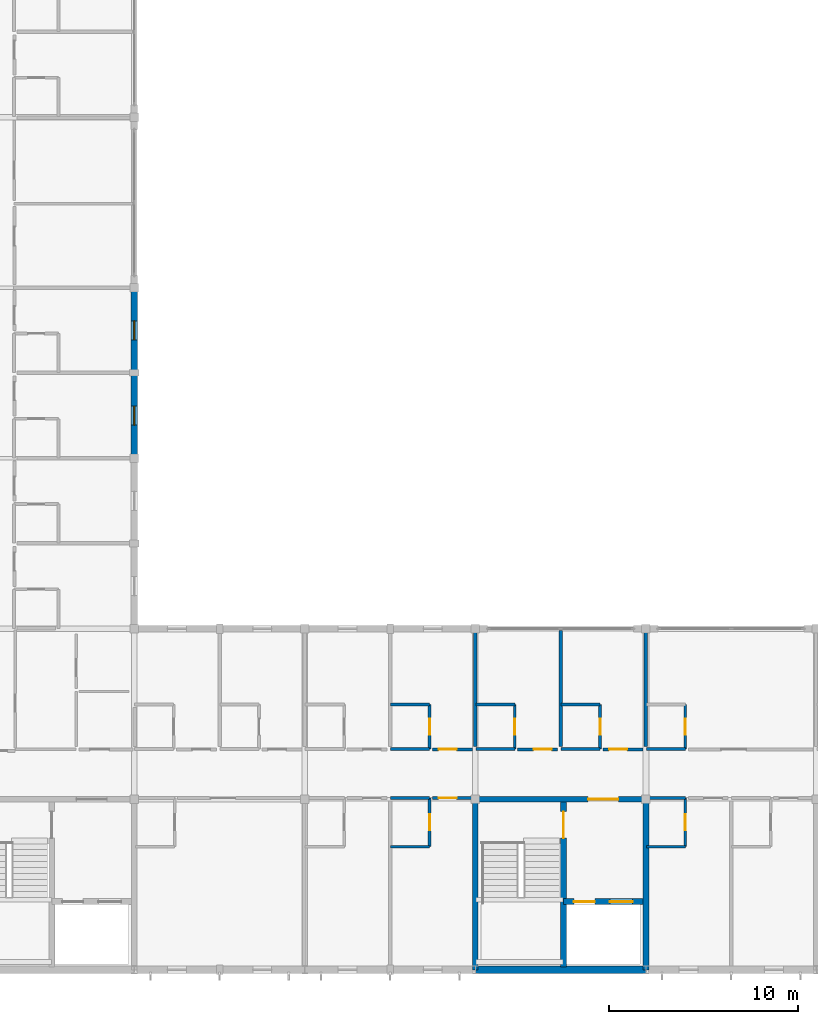
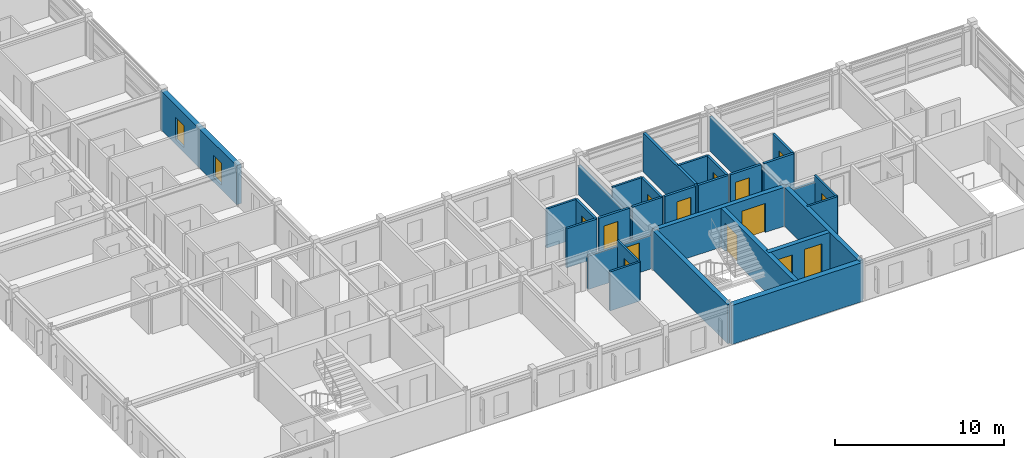
# One storey, part 11 of 20: 31 walls, 14 doors, 2 windows, 16 openings.
"""IFC4 building model written with IfcOpenShell, lengths in metres."""

from ifc_helpers import new_model, si_unit, direction, frame, frame_2d, origin, place, context, subcontext, project, spatial, rectangle, extrude, material, layer, layer_set, type_object, element, fill, save


model = new_model("IFC4")

# Units and contexts
model_context = context("Model", 3, precision=1e-05, world=origin(), true_north=direction((0.0, 1.0)))
body_context = subcontext(model_context, "Body", "Model", "MODEL_VIEW")
ifc_project = project(units=[si_unit("LENGTHUNIT", "METRE"), si_unit("AREAUNIT", "SQUARE_METRE"), si_unit("VOLUMEUNIT", "CUBIC_METRE"), si_unit("PLANEANGLEUNIT", "RADIAN"), si_unit("MASSUNIT", "GRAM", prefix="KILO")], contexts=[model_context])

# Site, building, storey
site_placement = place(None, origin())
site = spatial("IfcSite", under=ifc_project, at=site_placement, CompositionType="ELEMENT")
building_placement = place(site_placement, origin())
building = spatial("IfcBuilding", under=site, at=building_placement, Name="Palais des Congres Ocreval", CompositionType="ELEMENT")
storey_placement = place(building_placement, frame((0.0, 0.0, 20.639892578125)))
storey = spatial("IfcBuildingStorey", under=building, at=storey_placement, Name="L06", CompositionType="ELEMENT", Elevation=20.639892578125)

# Wall, opening, door
ifc_material_1 = material(Name="Moisture-resistant gypsum board")
ifc_layer_1 = layer(ifc_material_1, 0.139892578125)
ifc_layer_set_1 = layer_set([ifc_layer_1], Name="Bathroom Plumbing Chase Wall 140 Gypsum (Moisture-resistant gypsum board)")
wall_type_1 = type_object("IfcWallType", Name="Bathroom Plumbing Chase Wall 140 Gypsum", PredefinedType="PLUMBINGWALL", material=ifc_layer_set_1)
wall_1_placement = place(storey_placement, frame((33.580078125, 6.5, 0.0), z_axis=(0.0, 0.0, 1.0), x_axis=(0.0, 1.0, 0.0)))
wall_1 = element("IfcWall", 1, at=wall_1_placement, inside=storey, type_object=wall_type_1, Name="Bathroom Plumbing Wall PW03 L06", PredefinedType="PLUMBINGWALL", context=body_context, shape_type="SweptSolid", body=[
    extrude(rectangle(XDim=2.56005859375, YDim=0.139892578125, at=frame_2d((1.280029296875, 0.0))), origin(), (0.0, 0.0, 1.0), 2.820068359375),
])
opening_1_placement = place(wall_1_placement, frame((0.85498046875, 0.0, 0.0)))
opening_1 = element("IfcOpeningElement", 2, at=opening_1_placement, cuts=wall_1, Name="Opening D08", PredefinedType="OPENING", context=body_context, shape_type="SweptSolid", body=[
    extrude(rectangle(XDim=0.85009765625, YDim=2.0400390625, at=frame_2d((0.425048828125, 1.02001953125))), frame((0.0, 0.079833984375, 0.0), z_axis=(0.0, -1.0, 0.0), x_axis=(1.0, 0.0, 0.0)), (0.0, 0.0, 1.0), 0.159912109375),
])
ifc_material_2 = material(Name="Solid French oak", Category="wood")
door_type_1 = type_object("IfcDoorType", Name="En-Suite Bathroom Door 850x2040", OperationType="NOTDEFINED", PredefinedType="DOOR", material=ifc_material_2)
door_1_placement = place(opening_1_placement, origin())
door_1 = element("IfcDoor", 3, at=door_1_placement, inside=storey, type_object=door_type_1, Name="En-Suite Bathroom Door D08 L06", OperationType="SINGLE_SWING_LEFT", OverallHeight=2.0400390625, OverallWidth=0.85009765625, PredefinedType="DOOR", context=body_context, shape_type="SweptSolid", body=[
    extrude(rectangle(XDim=0.85009765625, YDim=2.0400390625, at=frame_2d((0.425048828125, 1.02001953125))), frame((0.0, 0.02490234375, 0.0), z_axis=(0.0, -1.0, 0.0), x_axis=(1.0, 0.0, 0.0)), (0.0, 0.0, 1.0), 0.050048828125),
])
fill(opening_1, door_1)

# Wall
wall_2_placement = place(storey_placement, frame((31.52001953125, 6.5, 0.0), z_axis=(0.0, 0.0, 1.0), x_axis=(1.0, 0.0, 0.0)))
element("IfcWall", 4, at=wall_2_placement, inside=storey, type_object=wall_type_1, Name="Bathroom Plumbing Wall PW03 L06", PredefinedType="PLUMBINGWALL", context=body_context, shape_type="SweptSolid", body=[
    extrude(rectangle(XDim=2.06005859375, YDim=0.139892578125, at=frame_2d((1.030029296875, 0.0))), origin(), (0.0, 0.0, 1.0), 2.820068359375),
])

# Wall, opening, door
wall_3_placement = place(storey_placement, frame((47.080078125, 6.5, 0.0), z_axis=(0.0, 0.0, 1.0), x_axis=(0.0, 1.0, 0.0)))
wall_3 = element("IfcWall", 5, at=wall_3_placement, inside=storey, type_object=wall_type_1, Name="Bathroom Plumbing Wall PW03 L06", PredefinedType="PLUMBINGWALL", context=body_context, shape_type="SweptSolid", body=[
    extrude(rectangle(XDim=2.56005859375, YDim=0.139892578125, at=frame_2d((1.280029296875, 0.0))), origin(), (0.0, 0.0, 1.0), 2.820068359375),
])
opening_2_placement = place(wall_3_placement, frame((0.85498046875, 0.0, 0.0)))
opening_2 = element("IfcOpeningElement", 6, at=opening_2_placement, cuts=wall_3, Name="Opening D08", PredefinedType="OPENING", context=body_context, shape_type="SweptSolid", body=[
    extrude(rectangle(XDim=0.85009765625, YDim=2.0400390625, at=frame_2d((0.425048828125, 1.02001953125))), frame((0.0, 0.079833984375, 0.0), z_axis=(0.0, -1.0, 0.0), x_axis=(1.0, 0.0, 0.0)), (0.0, 0.0, 1.0), 0.159912109375),
])
door_2_placement = place(opening_2_placement, origin())
door_2 = element("IfcDoor", 7, at=door_2_placement, inside=storey, type_object=door_type_1, Name="En-Suite Bathroom Door D08 L06", OperationType="SINGLE_SWING_RIGHT", OverallHeight=2.0400390625, OverallWidth=0.85009765625, PredefinedType="DOOR", context=body_context, shape_type="SweptSolid", body=[
    extrude(rectangle(XDim=0.85009765625, YDim=2.0400390625, at=frame_2d((0.425048828125, 1.02001953125))), frame((0.0, 0.02490234375, 0.0), z_axis=(0.0, -1.0, 0.0), x_axis=(1.0, 0.0, 0.0)), (0.0, 0.0, 1.0), 0.050048828125),
])
fill(opening_2, door_2)

# Wall
wall_4_placement = place(storey_placement, frame((45.02001953125, 6.5, 0.0), z_axis=(0.0, 0.0, 1.0), x_axis=(1.0, 0.0, 0.0)))
element("IfcWall", 8, at=wall_4_placement, inside=storey, type_object=wall_type_1, Name="Bathroom Plumbing Wall PW03 L06", PredefinedType="PLUMBINGWALL", context=body_context, shape_type="SweptSolid", body=[
    extrude(rectangle(XDim=2.06005859375, YDim=0.139892578125, at=frame_2d((1.030029296875, 0.0))), origin(), (0.0, 0.0, 1.0), 2.820068359375),
])

# Wall, opening, door
wall_5_placement = place(storey_placement, frame((33.580078125, 11.639892578125, 0.0), z_axis=(0.0, 0.0, 1.0), x_axis=(0.0, 1.0, 0.0)))
wall_5 = element("IfcWall", 9, at=wall_5_placement, inside=storey, type_object=wall_type_1, Name="Bathroom Plumbing Wall PW03 L06", PredefinedType="PLUMBINGWALL", context=body_context, shape_type="SweptSolid", body=[
    extrude(rectangle(XDim=2.360107421875, YDim=0.139892578125, at=frame_2d((1.18017578125, 0.0))), origin(), (0.0, 0.0, 1.0), 2.820068359375),
])
opening_3_placement = place(wall_5_placement, frame((0.7548828125, 0.0, 0.0)))
opening_3 = element("IfcOpeningElement", 10, at=opening_3_placement, cuts=wall_5, Name="Opening D08", PredefinedType="OPENING", context=body_context, shape_type="SweptSolid", body=[
    extrude(rectangle(XDim=0.85009765625, YDim=2.0400390625, at=frame_2d((0.425048828125, 1.02001953125))), frame((0.0, 0.079833984375, 0.0), z_axis=(0.0, -1.0, 0.0), x_axis=(1.0, 0.0, 0.0)), (0.0, 0.0, 1.0), 0.159912109375),
])
door_3_placement = place(opening_3_placement, origin())
door_3 = element("IfcDoor", 11, at=door_3_placement, inside=storey, type_object=door_type_1, Name="En-Suite Bathroom Door D08 L06", OperationType="SINGLE_SWING_LEFT", OverallHeight=2.0400390625, OverallWidth=0.85009765625, PredefinedType="DOOR", context=body_context, shape_type="SweptSolid", body=[
    extrude(rectangle(XDim=0.85009765625, YDim=2.0400390625, at=frame_2d((0.425048828125, 1.02001953125))), frame((0.0, 0.02490234375, 0.0), z_axis=(0.0, -1.0, 0.0), x_axis=(1.0, 0.0, 0.0)), (0.0, 0.0, 1.0), 0.050048828125),
])
fill(opening_3, door_3)

# Wall
wall_6_placement = place(storey_placement, frame((31.52001953125, 14.0, 0.0), z_axis=(0.0, 0.0, 1.0), x_axis=(1.0, 0.0, 0.0)))
element("IfcWall", 12, at=wall_6_placement, inside=storey, type_object=wall_type_1, Name="Bathroom Plumbing Wall PW03 L06", PredefinedType="PLUMBINGWALL", context=body_context, shape_type="SweptSolid", body=[
    extrude(rectangle(XDim=2.06005859375, YDim=0.139892578125, at=frame_2d((1.030029296875, 0.0))), origin(), (0.0, 0.0, 1.0), 2.820068359375),
])

# Wall, opening, door
wall_7_placement = place(storey_placement, frame((38.080078125, 11.639892578125, 0.0), z_axis=(0.0, 0.0, 1.0), x_axis=(0.0, 1.0, 0.0)))
wall_7 = element("IfcWall", 13, at=wall_7_placement, inside=storey, type_object=wall_type_1, Name="Bathroom Plumbing Wall PW03 L06", PredefinedType="PLUMBINGWALL", context=body_context, shape_type="SweptSolid", body=[
    extrude(rectangle(XDim=2.360107421875, YDim=0.139892578125, at=frame_2d((1.18017578125, 0.0))), origin(), (0.0, 0.0, 1.0), 2.820068359375),
])
opening_4_placement = place(wall_7_placement, frame((0.7548828125, 0.0, 0.0)))
opening_4 = element("IfcOpeningElement", 14, at=opening_4_placement, cuts=wall_7, Name="Opening D08", PredefinedType="OPENING", context=body_context, shape_type="SweptSolid", body=[
    extrude(rectangle(XDim=0.85009765625, YDim=2.0400390625, at=frame_2d((0.425048828125, 1.02001953125))), frame((0.0, 0.079833984375, 0.0), z_axis=(0.0, -1.0, 0.0), x_axis=(1.0, 0.0, 0.0)), (0.0, 0.0, 1.0), 0.159912109375),
])
door_4_placement = place(opening_4_placement, origin())
door_4 = element("IfcDoor", 15, at=door_4_placement, inside=storey, type_object=door_type_1, Name="En-Suite Bathroom Door D08 L06", OperationType="SINGLE_SWING_RIGHT", OverallHeight=2.0400390625, OverallWidth=0.85009765625, PredefinedType="DOOR", context=body_context, shape_type="SweptSolid", body=[
    extrude(rectangle(XDim=0.85009765625, YDim=2.0400390625, at=frame_2d((0.425048828125, 1.02001953125))), frame((0.0, 0.02490234375, 0.0), z_axis=(0.0, -1.0, 0.0), x_axis=(1.0, 0.0, 0.0)), (0.0, 0.0, 1.0), 0.050048828125),
])
fill(opening_4, door_4)

# Wall
wall_8_placement = place(storey_placement, frame((36.02001953125, 14.0, 0.0), z_axis=(0.0, 0.0, 1.0), x_axis=(1.0, 0.0, 0.0)))
element("IfcWall", 16, at=wall_8_placement, inside=storey, type_object=wall_type_1, Name="Bathroom Plumbing Wall PW03 L06", PredefinedType="PLUMBINGWALL", context=body_context, shape_type="SweptSolid", body=[
    extrude(rectangle(XDim=2.06005859375, YDim=0.139892578125, at=frame_2d((1.030029296875, 0.0))), origin(), (0.0, 0.0, 1.0), 2.820068359375),
])

# Wall, opening, door
wall_9_placement = place(storey_placement, frame((42.580078125, 11.639892578125, 0.0), z_axis=(0.0, 0.0, 1.0), x_axis=(0.0, 1.0, 0.0)))
wall_9 = element("IfcWall", 17, at=wall_9_placement, inside=storey, type_object=wall_type_1, Name="Bathroom Plumbing Wall PW03 L06", PredefinedType="PLUMBINGWALL", context=body_context, shape_type="SweptSolid", body=[
    extrude(rectangle(XDim=2.360107421875, YDim=0.139892578125, at=frame_2d((1.18017578125, 0.0))), origin(), (0.0, 0.0, 1.0), 2.820068359375),
])
opening_5_placement = place(wall_9_placement, frame((0.7548828125, 0.0, 0.0)))
opening_5 = element("IfcOpeningElement", 18, at=opening_5_placement, cuts=wall_9, Name="Opening D08", PredefinedType="OPENING", context=body_context, shape_type="SweptSolid", body=[
    extrude(rectangle(XDim=0.85009765625, YDim=2.0400390625, at=frame_2d((0.425048828125, 1.02001953125))), frame((0.0, 0.079833984375, 0.0), z_axis=(0.0, -1.0, 0.0), x_axis=(1.0, 0.0, 0.0)), (0.0, 0.0, 1.0), 0.159912109375),
])
door_5_placement = place(opening_5_placement, origin())
door_5 = element("IfcDoor", 19, at=door_5_placement, inside=storey, type_object=door_type_1, Name="En-Suite Bathroom Door D08 L06", OperationType="SINGLE_SWING_LEFT", OverallHeight=2.0400390625, OverallWidth=0.85009765625, PredefinedType="DOOR", context=body_context, shape_type="SweptSolid", body=[
    extrude(rectangle(XDim=0.85009765625, YDim=2.0400390625, at=frame_2d((0.425048828125, 1.02001953125))), frame((0.0, 0.02490234375, 0.0), z_axis=(0.0, -1.0, 0.0), x_axis=(1.0, 0.0, 0.0)), (0.0, 0.0, 1.0), 0.050048828125),
])
fill(opening_5, door_5)

# Wall
wall_10_placement = place(storey_placement, frame((40.52001953125, 14.0, 0.0), z_axis=(0.0, 0.0, 1.0), x_axis=(1.0, 0.0, 0.0)))
element("IfcWall", 20, at=wall_10_placement, inside=storey, type_object=wall_type_1, Name="Bathroom Plumbing Wall PW03 L06", PredefinedType="PLUMBINGWALL", context=body_context, shape_type="SweptSolid", body=[
    extrude(rectangle(XDim=2.06005859375, YDim=0.139892578125, at=frame_2d((1.030029296875, 0.0))), origin(), (0.0, 0.0, 1.0), 2.820068359375),
])

# Wall, opening, door
wall_11_placement = place(storey_placement, frame((47.080078125, 11.639892578125, 0.0), z_axis=(0.0, 0.0, 1.0), x_axis=(0.0, 1.0, 0.0)))
wall_11 = element("IfcWall", 21, at=wall_11_placement, inside=storey, type_object=wall_type_1, Name="Bathroom Plumbing Wall PW03 L06", PredefinedType="PLUMBINGWALL", context=body_context, shape_type="SweptSolid", body=[
    extrude(rectangle(XDim=2.360107421875, YDim=0.139892578125, at=frame_2d((1.18017578125, 0.0))), origin(), (0.0, 0.0, 1.0), 2.820068359375),
])
opening_6_placement = place(wall_11_placement, frame((0.7548828125, 0.0, 0.0)))
opening_6 = element("IfcOpeningElement", 22, at=opening_6_placement, cuts=wall_11, Name="Opening D08", PredefinedType="OPENING", context=body_context, shape_type="SweptSolid", body=[
    extrude(rectangle(XDim=0.85009765625, YDim=2.0400390625, at=frame_2d((0.425048828125, 1.02001953125))), frame((0.0, 0.079833984375, 0.0), z_axis=(0.0, -1.0, 0.0), x_axis=(1.0, 0.0, 0.0)), (0.0, 0.0, 1.0), 0.159912109375),
])
door_6_placement = place(opening_6_placement, origin())
door_6 = element("IfcDoor", 23, at=door_6_placement, inside=storey, type_object=door_type_1, Name="En-Suite Bathroom Door D08 L06", OperationType="SINGLE_SWING_RIGHT", OverallHeight=2.0400390625, OverallWidth=0.85009765625, PredefinedType="DOOR", context=body_context, shape_type="SweptSolid", body=[
    extrude(rectangle(XDim=0.85009765625, YDim=2.0400390625, at=frame_2d((0.425048828125, 1.02001953125))), frame((0.0, 0.02490234375, 0.0), z_axis=(0.0, -1.0, 0.0), x_axis=(1.0, 0.0, 0.0)), (0.0, 0.0, 1.0), 0.050048828125),
])
fill(opening_6, door_6)

# Wall
ifc_material_3 = material(Name="Concrete C40/50", Category="concrete")
ifc_layer_2 = layer(ifc_material_3, 0.300048828125)
ifc_layer_set_2 = layer_set([ifc_layer_2], Name="Core Shear Wall 300 Concrete C40/50")
wall_type_2 = type_object("IfcWallType", Name="Core Shear Wall 300 Concrete C40/50", PredefinedType="SHEAR", material=ifc_layer_set_2)
wall_12_placement = place(storey_placement, frame((45.0, 0.0, 0.0), z_axis=(0.0, 0.0, 1.0), x_axis=(0.0, 1.0, 0.0)))
element("IfcWall", 24, at=wall_12_placement, inside=storey, type_object=wall_type_2, Name="Core Shear Wall SC02 L06 E", PredefinedType="SHEAR", context=body_context, shape_type="SweptSolid", body=[
    extrude(rectangle(XDim=9.0, YDim=0.300048828125, at=frame_2d((4.5, 0.0))), origin(), (0.0, 0.0, 1.0), 2.820068359375),
])

# Wall, opening, door
wall_13_placement = place(storey_placement, frame((36.0, 9.0, 0.0), z_axis=(0.0, 0.0, 1.0), x_axis=(1.0, 0.0, 0.0)))
wall_13 = element("IfcWall", 25, at=wall_13_placement, inside=storey, type_object=wall_type_2, Name="Core Shear Wall SC02 L06 N", PredefinedType="SHEAR", context=body_context, shape_type="SweptSolid", body=[
    extrude(rectangle(XDim=9.0, YDim=0.300048828125, at=frame_2d((4.5, 0.0))), origin(), (0.0, 0.0, 1.0), 2.820068359375),
])
opening_7_placement = place(wall_13_placement, frame((5.949951171875, 0.0, 0.0)))
opening_7 = element("IfcOpeningElement", 26, at=opening_7_placement, cuts=wall_13, Name="Opening D02", PredefinedType="OPENING", context=body_context, shape_type="SweptSolid", body=[
    extrude(rectangle(XDim=1.60009765625, YDim=2.10009765625, at=frame_2d((0.800048828125, 1.050048828125))), frame((0.0, 0.159912109375, 0.0), z_axis=(0.0, -1.0, 0.0), x_axis=(1.0, 0.0, 0.0)), (0.0, 0.0, 1.0), 0.320068359375),
])
ifc_material_4 = material(Name="Painted fire-rated steel", Category="steel")
door_type_2 = type_object("IfcDoorType", Name="Firefighting Lobby Rated Door 1600x2100", OperationType="NOTDEFINED", PredefinedType="DOOR", material=ifc_material_4)
door_7_placement = place(opening_7_placement, origin())
door_7 = element("IfcDoor", 27, at=door_7_placement, inside=storey, type_object=door_type_2, Name="Firefighting Lobby Entrance Door SC02 L06", OperationType="DOUBLE_DOOR_SINGLE_SWING", OverallHeight=2.10009765625, OverallWidth=1.60009765625, PredefinedType="DOOR", context=body_context, shape_type="SweptSolid", body=[
    extrude(rectangle(XDim=1.60009765625, YDim=2.10009765625, at=frame_2d((0.800048828125, 1.050048828125))), frame((0.0, 0.02490234375, 0.0), z_axis=(0.0, -1.0, 0.0), x_axis=(1.0, 0.0, 0.0)), (0.0, 0.0, 1.0), 0.050048828125),
])
fill(opening_7, door_7)

# Wall
wall_14_placement = place(storey_placement, frame((36.0, 0.0, 0.0), z_axis=(0.0, 0.0, 1.0), x_axis=(0.0, 1.0, 0.0)))
element("IfcWall", 28, at=wall_14_placement, inside=storey, type_object=wall_type_2, Name="Core Shear Wall SC02 L06 W", PredefinedType="SHEAR", context=body_context, shape_type="SweptSolid", body=[
    extrude(rectangle(XDim=9.0, YDim=0.300048828125, at=frame_2d((4.5, 0.0))), origin(), (0.0, 0.0, 1.0), 2.820068359375),
])

# Wall, opening, door
wall_15_placement = place(storey_placement, frame((40.64990234375, 0.14990234375, 0.0), z_axis=(0.0, 0.0, 1.0), x_axis=(0.0, 1.0, 0.0)))
wall_15 = element("IfcWall", 29, at=wall_15_placement, inside=storey, type_object=wall_type_2, Name="Core Spine Shear Wall SC02 L06", PredefinedType="SHEAR", context=body_context, shape_type="SweptSolid", body=[
    extrude(rectangle(XDim=8.7001953125, YDim=0.300048828125, at=frame_2d((4.35009765625, 0.0))), origin(), (0.0, 0.0, 1.0), 2.820068359375),
])
opening_8_placement = place(wall_15_placement, frame((6.800048828125, 0.0, 0.0)))
opening_8 = element("IfcOpeningElement", 30, at=opening_8_placement, cuts=wall_15, Name="Opening D03", PredefinedType="OPENING", context=body_context, shape_type="SweptSolid", body=[
    extrude(rectangle(XDim=1.39990234375, YDim=2.02001953125, at=frame_2d((0.699951171875, 1.010009765625))), frame((0.0, 0.159912109375, 0.0), z_axis=(0.0, -1.0, 0.0), x_axis=(1.0, 0.0, 0.0)), (0.0, 0.0, 1.0), 0.320068359375),
])
door_type_3 = type_object("IfcDoorType", Name="Core Lobby Rated Door 1400x2020", OperationType="NOTDEFINED", PredefinedType="DOOR", material=ifc_material_4)
door_8_placement = place(opening_8_placement, origin())
door_8 = element("IfcDoor", 31, at=door_8_placement, inside=storey, type_object=door_type_3, Name="Protected Exit Stair Door ST02 L06", OperationType="SINGLE_SWING_RIGHT", OverallHeight=2.02001953125, OverallWidth=1.39990234375, PredefinedType="DOOR", context=body_context, shape_type="SweptSolid", body=[
    extrude(rectangle(XDim=1.39990234375, YDim=2.02001953125, at=frame_2d((0.699951171875, 1.010009765625))), frame((0.0, 0.02490234375, 0.0), z_axis=(0.0, -1.0, 0.0), x_axis=(1.0, 0.0, 0.0)), (0.0, 0.0, 1.0), 0.050048828125),
])
fill(opening_8, door_8)

# Wall, openings, doors
wall_16_placement = place(storey_placement, frame((40.64990234375, 3.60009765625, 0.0), z_axis=(0.0, 0.0, 1.0), x_axis=(1.0, 0.0, 0.0)))
wall_16 = element("IfcWall", 32, at=wall_16_placement, inside=storey, type_object=wall_type_2, Name="Lift Shaft Front Wall SC02 L06", PredefinedType="SHEAR", context=body_context, shape_type="SweptSolid", body=[
    extrude(rectangle(XDim=4.2001953125, YDim=0.300048828125, at=frame_2d((2.10009765625, 0.0))), origin(), (0.0, 0.0, 1.0), 2.820068359375),
])
opening_9_placement = place(wall_16_placement, frame((0.550048828125, 0.0, 0.0)))
opening_9 = element("IfcOpeningElement", 33, at=opening_9_placement, cuts=wall_16, Name="Opening LD01", PredefinedType="OPENING", context=body_context, shape_type="SweptSolid", body=[
    extrude(rectangle(XDim=1.10009765625, YDim=2.10009765625, at=frame_2d((0.550048828125, 1.050048828125))), frame((0.0, 0.159912109375, 0.0), z_axis=(0.0, -1.0, 0.0), x_axis=(1.0, 0.0, 0.0)), (0.0, 0.0, 1.0), 0.320068359375),
])
opening_10_placement = place(wall_16_placement, frame((2.449951171875, 0.0, 0.0)))
opening_10 = element("IfcOpeningElement", 34, at=opening_10_placement, cuts=wall_16, Name="Opening LD02", PredefinedType="OPENING", context=body_context, shape_type="SweptSolid", body=[
    extrude(rectangle(XDim=1.199951171875, YDim=2.199951171875, at=frame_2d((0.60009765625, 1.10009765625))), frame((0.0, 0.159912109375, 0.0), z_axis=(0.0, -1.0, 0.0), x_axis=(1.0, 0.0, 0.0)), (0.0, 0.0, 1.0), 0.320068359375),
])
ifc_material_5 = material(Name="Stainless steel", Category="steel")
door_type_4 = type_object("IfcDoorType", Name="Firefighting Lift Sliding Landing Door 1100x2100", OperationType="NOTDEFINED", PredefinedType="DOOR", material=ifc_material_5)
door_9_placement = place(opening_9_placement, origin())
door_9 = element("IfcDoor", 35, at=door_9_placement, inside=storey, type_object=door_type_4, Name="Lift Landing Sliding Door FF2 L06", OperationType="DOUBLE_DOOR_SLIDING", OverallHeight=2.10009765625, OverallWidth=1.10009765625, PredefinedType="DOOR", context=body_context, shape_type="SweptSolid", body=[
    extrude(rectangle(XDim=1.10009765625, YDim=2.10009765625, at=frame_2d((0.550048828125, 1.050048828125))), frame((0.0, 0.02490234375, 0.0), z_axis=(0.0, -1.0, 0.0), x_axis=(1.0, 0.0, 0.0)), (0.0, 0.0, 1.0), 0.050048828125),
])
fill(opening_9, door_9)
ifc_material_6 = material(Name="Anodized bronze steel", Category="steel")
door_type_5 = type_object("IfcDoorType", Name="Passenger and Service Lift Sliding Door 1200x2200", OperationType="NOTDEFINED", PredefinedType="DOOR", material=ifc_material_6)
door_10_placement = place(opening_10_placement, origin())
door_10 = element("IfcDoor", 36, at=door_10_placement, inside=storey, type_object=door_type_5, Name="Lift Landing Sliding Door PL2 L06", OperationType="DOUBLE_DOOR_SLIDING", OverallHeight=2.199951171875, OverallWidth=1.199951171875, PredefinedType="DOOR", context=body_context, shape_type="SweptSolid", body=[
    extrude(rectangle(XDim=1.199951171875, YDim=2.199951171875, at=frame_2d((0.60009765625, 1.10009765625))), frame((0.0, 0.02490234375, 0.0), z_axis=(0.0, -1.0, 0.0), x_axis=(1.0, 0.0, 0.0)), (0.0, 0.0, 1.0), 0.050048828125),
])
fill(opening_10, door_10)

# Walls
ifc_material_7 = material(Name="Gypsum acoustic partition")
ifc_layer_3 = layer(ifc_material_7, 0.159912109375)
ifc_layer_set_3 = layer_set([ifc_layer_3], Name="Corridor Fire Partition 160 Gypsum (Gypsum acoustic partition)")
wall_type_3 = type_object("IfcWallType", Name="Corridor Fire Partition 160 Gypsum", PredefinedType="PARTITIONING", material=ifc_layer_set_3)
wall_17_placement = place(storey_placement, frame((31.52001953125, 9.06005859375, 0.0), z_axis=(0.0, 0.0, 1.0), x_axis=(1.0, 0.0, 0.0)))
element("IfcWall", 37, at=wall_17_placement, inside=storey, type_object=wall_type_3, Name="Corridor Partition IW03 L06", PredefinedType="PARTITIONING", context=body_context, shape_type="SweptSolid", body=[
    extrude(rectangle(XDim=2.06005859375, YDim=0.159912109375, at=frame_2d((1.030029296875, 0.0))), origin(), (0.0, 0.0, 1.0), 2.420166015625),
])
wall_18_placement = place(storey_placement, frame((45.02001953125, 9.06005859375, 0.0), z_axis=(0.0, 0.0, 1.0), x_axis=(1.0, 0.0, 0.0)))
element("IfcWall", 38, at=wall_18_placement, inside=storey, type_object=wall_type_3, Name="Corridor Partition IW03 L06", PredefinedType="PARTITIONING", context=body_context, shape_type="SweptSolid", body=[
    extrude(rectangle(XDim=2.06005859375, YDim=0.159912109375, at=frame_2d((1.030029296875, 0.0))), origin(), (0.0, 0.0, 1.0), 2.330078125),
])
for number, where, z_axis, x_axis, name in (
    (39, (31.52001953125, 11.639892578125, 0.0), (0.0, 0.0, 1.0), (1.0, 0.0, 0.0), "Corridor Partition IW03 L06"),
    (40, (36.02001953125, 11.639892578125, 0.0), (0.0, 0.0, 1.0), (1.0, 0.0, 0.0), "Corridor Partition IW03 L06"),
    (41, (40.52001953125, 11.639892578125, 0.0), (0.0, 0.0, 1.0), (1.0, 0.0, 0.0), "Corridor Partition IW03 L06"),
    (42, (45.02001953125, 11.639892578125, 0.0), (0.0, 0.0, 1.0), (1.0, 0.0, 0.0), "Corridor Partition IW03 L06"),
):
    element("IfcWall", number, at=place(storey_placement, frame(where, z_axis=z_axis, x_axis=x_axis)), inside=storey, type_object=wall_type_3, Name=name, PredefinedType="PARTITIONING", context=body_context, shape_type="SweptSolid", body=[
        extrude(rectangle(XDim=2.06005859375, YDim=0.159912109375, at=frame_2d((1.030029296875, 0.0))), origin(), (0.0, 0.0, 1.0), 2.820068359375),
    ])

# Wall, opening, door
wall_19_placement = place(storey_placement, frame((33.735107421875, 9.06494140625, 0.0), z_axis=(0.0, 0.0, 1.0), x_axis=(1.0, 0.0, 0.0)))
wall_19 = element("IfcWall", 43, at=wall_19_placement, inside=storey, type_object=wall_type_3, Name="Interior Partition IW03 L06", PredefinedType="PARTITIONING", context=body_context, shape_type="SweptSolid", body=[
    extrude(rectangle(XDim=2.10986328125, YDim=0.159912109375, at=frame_2d((1.054931640625, 0.0))), origin(), (0.0, 0.0, 1.0), 2.420166015625),
])
opening_11_placement = place(wall_19_placement, frame((0.326904296875, 0.0, 0.0)))
opening_11 = element("IfcOpeningElement", 44, at=opening_11_placement, cuts=wall_19, Name="Opening D05", PredefinedType="OPENING", context=body_context, shape_type="SweptSolid", body=[
    extrude(rectangle(XDim=0.949951171875, YDim=2.14990234375, at=frame_2d((0.47509765625, 1.074951171875))), frame((0.0, 0.08984375, 0.0), z_axis=(0.0, -1.0, 0.0), x_axis=(1.0, 0.0, 0.0)), (0.0, 0.0, 1.0), 0.179931640625),
])
door_type_6 = type_object("IfcDoorType", Name="Hotel Guestroom Entrance Door 950x2150", OperationType="NOTDEFINED", PredefinedType="DOOR", material=ifc_material_2)
door_11_placement = place(opening_11_placement, origin())
door_11 = element("IfcDoor", 45, at=door_11_placement, inside=storey, type_object=door_type_6, Name="Interior Door D05 L06", OperationType="SINGLE_SWING_RIGHT", OverallHeight=2.14990234375, OverallWidth=0.949951171875, PredefinedType="DOOR", context=body_context, shape_type="SweptSolid", body=[
    extrude(rectangle(XDim=0.949951171875, YDim=2.14990234375, at=frame_2d((0.47509765625, 1.074951171875))), frame((0.0, 0.02490234375, 0.0), z_axis=(0.0, -1.0, 0.0), x_axis=(1.0, 0.0, 0.0)), (0.0, 0.0, 1.0), 0.050048828125),
])
fill(opening_11, door_11)

wall_20_placement = place(storey_placement, frame((33.735107421875, 11.635009765625, 0.0), z_axis=(0.0, 0.0, 1.0), x_axis=(1.0, 0.0, 0.0)))
wall_20 = element("IfcWall", 46, at=wall_20_placement, inside=storey, type_object=wall_type_3, Name="Interior Partition IW03 L06", PredefinedType="PARTITIONING", context=body_context, shape_type="SweptSolid", body=[
    extrude(rectangle(XDim=2.10986328125, YDim=0.159912109375, at=frame_2d((1.054931640625, 0.0))), origin(), (0.0, 0.0, 1.0), 2.820068359375),
])
opening_12_placement = place(wall_20_placement, frame((0.326904296875, 0.0, 0.0)))
opening_12 = element("IfcOpeningElement", 47, at=opening_12_placement, cuts=wall_20, Name="Opening D05", PredefinedType="OPENING", context=body_context, shape_type="SweptSolid", body=[
    extrude(rectangle(XDim=0.949951171875, YDim=2.14990234375, at=frame_2d((0.47509765625, 1.074951171875))), frame((0.0, 0.08984375, 0.0), z_axis=(0.0, -1.0, 0.0), x_axis=(1.0, 0.0, 0.0)), (0.0, 0.0, 1.0), 0.179931640625),
])
door_12_placement = place(opening_12_placement, origin())
door_12 = element("IfcDoor", 48, at=door_12_placement, inside=storey, type_object=door_type_6, Name="Interior Door D05 L06", OperationType="SINGLE_SWING_LEFT", OverallHeight=2.14990234375, OverallWidth=0.949951171875, PredefinedType="DOOR", context=body_context, shape_type="SweptSolid", body=[
    extrude(rectangle(XDim=0.949951171875, YDim=2.14990234375, at=frame_2d((0.47509765625, 1.074951171875))), frame((0.0, 0.02490234375, 0.0), z_axis=(0.0, -1.0, 0.0), x_axis=(1.0, 0.0, 0.0)), (0.0, 0.0, 1.0), 0.050048828125),
])
fill(opening_12, door_12)

wall_21_placement = place(storey_placement, frame((38.235107421875, 11.635009765625, 0.0), z_axis=(0.0, 0.0, 1.0), x_axis=(1.0, 0.0, 0.0)))
wall_21 = element("IfcWall", 49, at=wall_21_placement, inside=storey, type_object=wall_type_3, Name="Interior Partition IW03 L06", PredefinedType="PARTITIONING", context=body_context, shape_type="SweptSolid", body=[
    extrude(rectangle(XDim=2.10986328125, YDim=0.159912109375, at=frame_2d((1.054931640625, 0.0))), origin(), (0.0, 0.0, 1.0), 2.820068359375),
])
opening_13_placement = place(wall_21_placement, frame((0.833251953125, 0.0, 0.0)))
opening_13 = element("IfcOpeningElement", 50, at=opening_13_placement, cuts=wall_21, Name="Opening D05", PredefinedType="OPENING", context=body_context, shape_type="SweptSolid", body=[
    extrude(rectangle(XDim=0.949951171875, YDim=2.14990234375, at=frame_2d((0.47509765625, 1.074951171875))), frame((0.0, 0.08984375, 0.0), z_axis=(0.0, -1.0, 0.0), x_axis=(1.0, 0.0, 0.0)), (0.0, 0.0, 1.0), 0.179931640625),
])
door_13_placement = place(opening_13_placement, origin())
door_13 = element("IfcDoor", 51, at=door_13_placement, inside=storey, type_object=door_type_6, Name="Interior Door D05 L06", OperationType="SINGLE_SWING_RIGHT", OverallHeight=2.14990234375, OverallWidth=0.949951171875, PredefinedType="DOOR", context=body_context, shape_type="SweptSolid", body=[
    extrude(rectangle(XDim=0.949951171875, YDim=2.14990234375, at=frame_2d((0.47509765625, 1.074951171875))), frame((0.0, 0.02490234375, 0.0), z_axis=(0.0, -1.0, 0.0), x_axis=(1.0, 0.0, 0.0)), (0.0, 0.0, 1.0), 0.050048828125),
])
fill(opening_13, door_13)

wall_22_placement = place(storey_placement, frame((42.735107421875, 11.635009765625, 0.0), z_axis=(0.0, 0.0, 1.0), x_axis=(1.0, 0.0, 0.0)))
wall_22 = element("IfcWall", 52, at=wall_22_placement, inside=storey, type_object=wall_type_3, Name="Interior Partition IW03 L06", PredefinedType="PARTITIONING", context=body_context, shape_type="SweptSolid", body=[
    extrude(rectangle(XDim=2.10986328125, YDim=0.159912109375, at=frame_2d((1.054931640625, 0.0))), origin(), (0.0, 0.0, 1.0), 2.820068359375),
])
opening_14_placement = place(wall_22_placement, frame((0.326904296875, 0.0, 0.0)))
opening_14 = element("IfcOpeningElement", 53, at=opening_14_placement, cuts=wall_22, Name="Opening D05", PredefinedType="OPENING", context=body_context, shape_type="SweptSolid", body=[
    extrude(rectangle(XDim=0.949951171875, YDim=2.14990234375, at=frame_2d((0.47509765625, 1.074951171875))), frame((0.0, 0.08984375, 0.0), z_axis=(0.0, -1.0, 0.0), x_axis=(1.0, 0.0, 0.0)), (0.0, 0.0, 1.0), 0.179931640625),
])
door_14_placement = place(opening_14_placement, origin())
door_14 = element("IfcDoor", 54, at=door_14_placement, inside=storey, type_object=door_type_6, Name="Interior Door D05 L06", OperationType="SINGLE_SWING_LEFT", OverallHeight=2.14990234375, OverallWidth=0.949951171875, PredefinedType="DOOR", context=body_context, shape_type="SweptSolid", body=[
    extrude(rectangle(XDim=0.949951171875, YDim=2.14990234375, at=frame_2d((0.47509765625, 1.074951171875))), frame((0.0, 0.02490234375, 0.0), z_axis=(0.0, -1.0, 0.0), x_axis=(1.0, 0.0, 0.0)), (0.0, 0.0, 1.0), 0.050048828125),
])
fill(opening_14, door_14)

# Walls
ifc_layer_4 = layer(ifc_material_7, 0.179931640625)
ifc_layer_set_4 = layer_set([ifc_layer_4], Name="Hotel Inter-Room Acoustic Partition 180 Gypsum (Gypsum acoustic partition)")
wall_type_4 = type_object("IfcWallType", Name="Hotel Inter-Room Acoustic Partition 180 Gypsum", PredefinedType="PARTITIONING", material=ifc_layer_set_4)
wall_23_placement = place(storey_placement, frame((36.0, 11.794921875, 0.0), z_axis=(0.0, 0.0, 1.0), x_axis=(0.0, 1.0, 0.0)))
element("IfcWall", 55, at=wall_23_placement, inside=storey, type_object=wall_type_4, Name="Hotel Party Partition IW02 L06", PredefinedType="PARTITIONING", context=body_context, shape_type="SweptSolid", body=[
    extrude(rectangle(XDim=6.030029296875, YDim=0.179931640625, at=frame_2d((3.01513671875, 0.0))), origin(), (0.0, 0.0, 1.0), 2.090087890625),
])
wall_24_placement = place(storey_placement, frame((40.5, 11.794921875, 0.0), z_axis=(0.0, 0.0, 1.0), x_axis=(0.0, 1.0, 0.0)))
element("IfcWall", 56, at=wall_24_placement, inside=storey, type_object=wall_type_4, Name="Hotel Party Partition IW02 L06", PredefinedType="PARTITIONING", context=body_context, shape_type="SweptSolid", body=[
    extrude(rectangle(XDim=6.110107421875, YDim=0.179931640625, at=frame_2d((3.05517578125, 0.0))), origin(), (0.0, 0.0, 1.0), 2.820068359375),
])
wall_25_placement = place(storey_placement, frame((45.0, 11.794921875, 0.0), z_axis=(0.0, 0.0, 1.0), x_axis=(0.0, 1.0, 0.0)))
element("IfcWall", 57, at=wall_25_placement, inside=storey, type_object=wall_type_4, Name="Hotel Party Partition IW02 L06", PredefinedType="PARTITIONING", context=body_context, shape_type="SweptSolid", body=[
    extrude(rectangle(XDim=6.030029296875, YDim=0.179931640625, at=frame_2d((3.01513671875, 0.0))), origin(), (0.0, 0.0, 1.0), 2.489990234375),
])
ifc_layer_5 = layer(ifc_material_3, 0.3798828125)
ifc_layer_set_5 = layer_set([ifc_layer_5], Name="Lutetian Limestone Street Wall 380 Concrete C40/50")
wall_type_5 = type_object("IfcWallType", Name="Lutetian Limestone Street Wall 380 Concrete C40/50", PredefinedType="SOLIDWALL", material=ifc_layer_set_5)
wall_26_placement = place(storey_placement, frame((45.0, 0.0, 0.0), z_axis=(0.0, 0.0, 1.0), x_axis=(-1.0, 0.0, 0.0)))
element("IfcWall", 58, at=wall_26_placement, inside=storey, type_object=wall_type_5, Name="Core Perimeter Shear Wall EW03 SC02 L06", PredefinedType="SOLIDWALL", context=body_context, shape_type="SweptSolid", body=[
    extrude(rectangle(XDim=9.0, YDim=0.3798828125, at=frame_2d((4.5, 0.0))), origin(), (0.0, 0.0, 1.0), 2.820068359375),
])

# Wall, openings, windows
ifc_layer_6 = layer(ifc_material_3, 0.340087890625)
ifc_layer_set_6 = layer_set([ifc_layer_6], Name="Ochre Mineral-Lime Courtyard Wall 340 Concrete C40/50")
wall_type_6 = type_object("IfcWallType", Name="Ochre Mineral-Lime Courtyard Wall 340 Concrete C40/50", PredefinedType="SOLIDWALL", material=ifc_layer_set_6)
wall_27_placement = place(storey_placement, frame((18.0, 36.0, 0.0), z_axis=(0.0, 0.0, 1.0), x_axis=(0.0, -1.0, 0.0)))
wall_27 = element("IfcWall", 59, at=wall_27_placement, inside=storey, type_object=wall_type_6, Name="Exterior Wall EW04 L06", PredefinedType="SOLIDWALL", context=body_context, shape_type="SweptSolid", body=[
    extrude(rectangle(XDim=9.0, YDim=0.340087890625, at=frame_2d((4.5, 0.0))), origin(), (0.0, 0.0, 1.0), 2.820068359375),
])
opening_15_placement = place(wall_27_placement, frame((1.75, 0.0, 0.35009765625)))
opening_15 = element("IfcOpeningElement", 60, at=opening_15_placement, cuts=wall_27, Name="Opening WN18", PredefinedType="OPENING", context=body_context, shape_type="SweptSolid", body=[
    extrude(rectangle(XDim=1.0, YDim=1.60009765625, at=frame_2d((0.5, 0.800048828125))), frame((0.0, 0.179931640625, 0.0), z_axis=(0.0, -1.0, 0.0), x_axis=(1.0, 0.0, 0.0)), (0.0, 0.0, 1.0), 0.360107421875),
])
opening_16_placement = place(wall_27_placement, frame((6.25, 0.0, 0.35009765625)))
opening_16 = element("IfcOpeningElement", 61, at=opening_16_placement, cuts=wall_27, Name="Opening WN18", PredefinedType="OPENING", context=body_context, shape_type="SweptSolid", body=[
    extrude(rectangle(XDim=1.0, YDim=1.60009765625, at=frame_2d((0.5, 0.800048828125))), frame((0.0, 0.179931640625, 0.0), z_axis=(0.0, -1.0, 0.0), x_axis=(1.0, 0.0, 0.0)), (0.0, 0.0, 1.0), 0.360107421875),
])
ifc_material_8 = material(Name="Anodized bronze aluminium and low-E glass", Category="glass")
window_type = type_object("IfcWindowType", Name="Stair and Lobby Daylight Window 1000x1600", PartitioningType="SINGLE_PANEL", PredefinedType="WINDOW", material=ifc_material_8)
window_1_placement = place(opening_15_placement, origin())
window_1 = element("IfcWindow", 62, at=window_1_placement, inside=storey, type_object=window_type, Name="Hotel Facade Window WN18", OverallHeight=1.60009765625, OverallWidth=1.0, PartitioningType="SINGLE_PANEL", PredefinedType="WINDOW", context=body_context, shape_type="SweptSolid", body=[
    extrude(rectangle(XDim=1.0, YDim=1.60009765625, at=frame_2d((0.5, 0.800048828125))), frame((0.0, 0.030029296875, 0.0), z_axis=(0.0, -1.0, 0.0), x_axis=(1.0, 0.0, 0.0)), (0.0, 0.0, 1.0), 0.06005859375),
])
fill(opening_15, window_1)
window_2_placement = place(opening_16_placement, origin())
window_2 = element("IfcWindow", 63, at=window_2_placement, inside=storey, type_object=window_type, Name="Hotel Facade Window WN18", OverallHeight=1.60009765625, OverallWidth=1.0, PartitioningType="SINGLE_PANEL", PredefinedType="WINDOW", context=body_context, shape_type="SweptSolid", body=[
    extrude(rectangle(XDim=1.0, YDim=1.60009765625, at=frame_2d((0.5, 0.800048828125))), frame((0.0, 0.030029296875, 0.0), z_axis=(0.0, -1.0, 0.0), x_axis=(1.0, 0.0, 0.0)), (0.0, 0.0, 1.0), 0.06005859375),
])
fill(opening_16, window_2)

save(model, "model.ifc")
